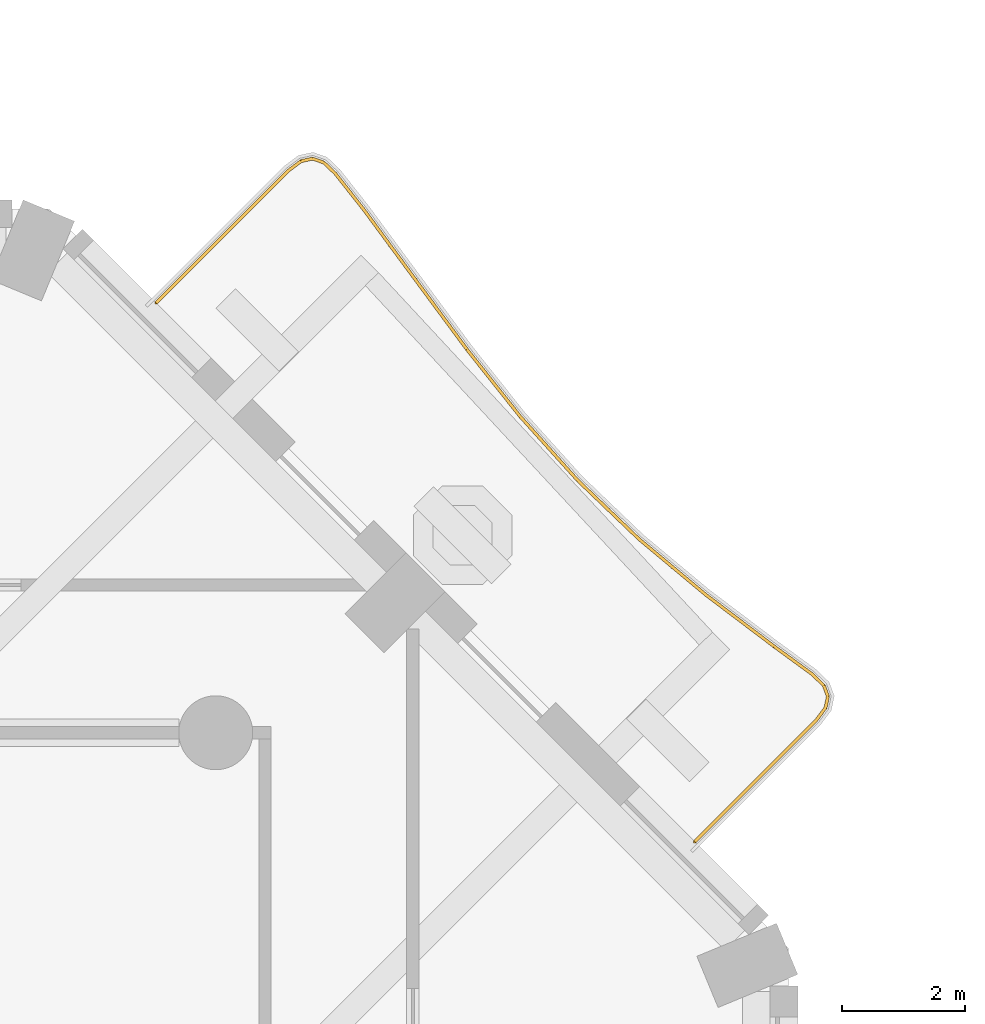
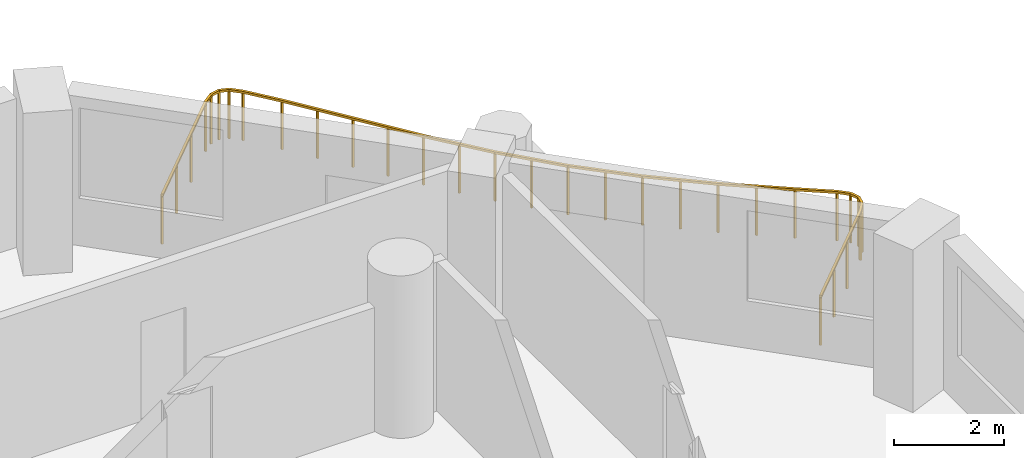
# One storey, part 23 of 24: 1 railing.
"""IFC4 building model written with IfcOpenShell, lengths in metres."""

from ifc_helpers import new_model, si_unit, direction, frame, origin, origin_2d, place, context, subcontext, project, spatial, rectangle, extrude, material, type_object, element, save


model = new_model("IFC4")

# Units and contexts
model_context = context("Model", 3, precision=1e-05, world=origin(), true_north=direction((0.0, 1.0)))
body_context = subcontext(model_context, "Body", "Model", "MODEL_VIEW")
ifc_project = project(units=[si_unit("LENGTHUNIT", "METRE"), si_unit("AREAUNIT", "SQUARE_METRE"), si_unit("VOLUMEUNIT", "CUBIC_METRE"), si_unit("PLANEANGLEUNIT", "RADIAN"), si_unit("MASSUNIT", "GRAM", prefix="KILO")], contexts=[model_context])

# Site, building, storey
site_placement = place(None, origin())
site = spatial("IfcSite", under=ifc_project, at=site_placement, CompositionType="ELEMENT")
building_placement = place(site_placement, origin())
building = spatial("IfcBuilding", under=site, at=building_placement, Name="Cypress Arch Tower", CompositionType="ELEMENT")
storey_placement = place(building_placement, frame((0.0, 0.0, 102.300048828125)))
storey = spatial("IfcBuildingStorey", under=building, at=storey_placement, Name="L20", CompositionType="ELEMENT", Elevation=102.300048828125)

# Railing
ifc_material = material(Name="Powder-coated steel posts and rods, 100 mm clear between rods", Category="steel")
railing_type = type_object("IfcRailingType", Name="Balcony guard GR1100", PredefinedType="GUARDRAIL", material=ifc_material)
railing_placement = place(storey_placement, frame((14.33251953125, 24.479736328125, 0.0)))
element("IfcRailing", 1, at=railing_placement, inside=storey, type_object=railing_type, Name="Balcony guard L20-A07", PredefinedType="GUARDRAIL", context=body_context, shape_type="SweptSolid", body=[
    extrude(rectangle(XDim=0.050048828125, YDim=0.050048828125, at=origin_2d()), frame((0.0, 0.0, 1.0751953125), z_axis=(0.707066550948, 0.707147009136, 0.0), x_axis=(-0.707147009136, 0.707066550948, 0.0)), (0.0, 0.0, 1.0), 3.034423828125),
    extrude(rectangle(XDim=0.050048828125, YDim=0.050048828125, at=origin_2d()), frame((2.1455078125, 2.145751953125, 1.0751953125), z_axis=(0.800905772358, 0.59879040056, 0.0), x_axis=(-0.59879040056, 0.800905772358, 0.0)), (0.0, 0.0, 1.0), 0.258544921875),
    extrude(rectangle(XDim=0.050048828125, YDim=0.050048828125, at=origin_2d()), frame((2.3525390625, 2.300537109375, 1.0751953125), z_axis=(0.976841821103, 0.213962745691, 0.0), x_axis=(-0.213962745691, 0.976841821103, 0.0)), (0.0, 0.0, 1.0), 0.191650390625),
    extrude(rectangle(XDim=0.050048828125, YDim=0.050048828125, at=origin_2d()), frame((2.539794921875, 2.341552734375, 1.0751953125), z_axis=(0.945061659714, -0.326892121866, 0.0), x_axis=(0.326892121866, 0.945061659714, 0.0)), (0.0, 0.0, 1.0), 0.19189453125),
    extrude(rectangle(XDim=0.050048828125, YDim=0.050048828125, at=origin_2d()), frame((2.72119140625, 2.27880859375, 1.0751953125), z_axis=(0.724834250675, -0.688923296926, 0.0), x_axis=(0.688923296926, 0.724834250675, 0.0)), (0.0, 0.0, 1.0), 0.25830078125),
    extrude(rectangle(XDim=0.050048828125, YDim=0.050048828125, at=origin_2d()), frame((2.908447265625, 2.100830078125, 1.0751953125), z_axis=(0.619177301871, -0.785251213846, 0.0), x_axis=(0.785251213846, 0.619177301871, 0.0)), (0.0, 0.0, 1.0), 0.762939453125),
    extrude(rectangle(XDim=0.050048828125, YDim=0.050048828125, at=origin_2d()), frame((3.380859375, 1.501708984375, 1.0751953125), z_axis=(0.59314552609, -0.805095264475, 0.0), x_axis=(0.805095264475, 0.59314552609, 0.0)), (0.0, 0.0, 1.0), 1.400634765625),
    extrude(rectangle(XDim=0.050048828125, YDim=0.050048828125, at=origin_2d()), frame((4.211669921875, 0.3740234375, 1.0751953125), z_axis=(0.594077695527, -0.804407665104, 0.0), x_axis=(0.804407665104, 0.594077695527, 0.0)), (0.0, 0.0, 1.0), 1.402099609375),
    extrude(rectangle(XDim=0.050048828125, YDim=0.050048828125, at=origin_2d()), frame((5.044677734375, -0.75390625, 1.0751953125), z_axis=(0.622049168557, -0.782978180984, 0.0), x_axis=(0.782978180984, 0.622049168557, 0.0)), (0.0, 0.0, 1.0), 1.397216796875),
    extrude(rectangle(XDim=0.050048828125, YDim=0.050048828125, at=origin_2d()), frame((5.913818359375, -1.847900390625, 1.0751953125), z_axis=(0.669100485491, -0.743171945323, 0.0), x_axis=(0.743171945323, 0.669100485491, 0.0)), (0.0, 0.0, 1.0), 1.390869140625),
    extrude(rectangle(XDim=0.050048828125, YDim=0.050048828125, at=origin_2d()), frame((6.844482421875, -2.881591796875, 1.0751953125), z_axis=(0.722229564323, -0.691653422184, 0.0), x_axis=(0.691653422184, 0.722229564323, 0.0)), (0.0, 0.0, 1.0), 1.389404296875),
    extrude(rectangle(XDim=0.050048828125, YDim=0.050048828125, at=origin_2d()), frame((7.847900390625, -3.842529296875, 1.0751953125), z_axis=(0.768206926138, -0.640201623424, 0.0), x_axis=(0.640201623424, 0.768206926138, 0.0)), (0.0, 0.0, 1.0), 1.394287109375),
    extrude(rectangle(XDim=0.050048828125, YDim=0.050048828125, at=origin_2d()), frame((8.9189453125, -4.735107421875, 1.0751953125), z_axis=(0.797798385383, -0.602924320524, 0.0), x_axis=(0.602924320524, 0.797798385383, 0.0)), (0.0, 0.0, 1.0), 1.400634765625),
    extrude(rectangle(XDim=0.050048828125, YDim=0.050048828125, at=origin_2d()), frame((10.036376953125, -5.57958984375, 1.0751953125), z_axis=(0.807414418501, -0.589984708952, 0.0), x_axis=(0.589984708952, 0.807414418501, 0.0)), (0.0, 0.0, 1.0), 0.76806640625),
    extrude(rectangle(XDim=0.050048828125, YDim=0.050048828125, at=origin_2d()), frame((10.656494140625, -6.03271484375, 1.0751953125), z_axis=(0.714628549608, -0.69950413586, 0.0), x_axis=(0.69950413586, 0.714628549608, 0.0)), (0.0, 0.0, 1.0), 0.25830078125),
    extrude(rectangle(XDim=0.050048828125, YDim=0.050048828125, at=origin_2d()), frame((10.841064453125, -6.21337890625, 1.0751953125), z_axis=(0.352971520146, -0.93563406627, 0.0), x_axis=(0.93563406627, 0.352971520146, 0.0)), (0.0, 0.0, 1.0), 0.188232421875),
    extrude(rectangle(XDim=0.050048828125, YDim=0.050048828125, at=origin_2d()), frame((10.907470703125, -6.389404296875, 1.0751953125), z_axis=(-0.205094513628, -0.978742172628, 0.0), x_axis=(0.978742172628, -0.205094513628, 0.0)), (0.0, 0.0, 1.0), 0.18798828125),
    extrude(rectangle(XDim=0.050048828125, YDim=0.050048828125, at=origin_2d()), frame((10.868896484375, -6.573486328125, 1.0751953125), z_axis=(-0.598637301733, -0.801020212588, 0.0), x_axis=(0.801020212588, -0.598637301733, 0.0)), (0.0, 0.0, 1.0), 0.258056640625),
    extrude(rectangle(XDim=0.050048828125, YDim=0.050048828125, at=origin_2d()), frame((10.71435546875, -6.7802734375, 1.0751953125), z_axis=(-0.707106781187, -0.707106781187, 0.0), x_axis=(0.707106781187, -0.707106781187, 0.0)), (0.0, 0.0, 1.0), 2.78173828125),
    extrude(rectangle(XDim=0.0400390625, YDim=0.0400390625, at=origin_2d()), origin(), (0.0, 0.0, 1.0), 1.050048828125),
    extrude(rectangle(XDim=0.0400390625, YDim=0.0400390625, at=origin_2d()), frame((0.715087890625, 0.71533203125, 0.0)), (0.0, 0.0, 1.0), 1.050048828125),
    extrude(rectangle(XDim=0.0400390625, YDim=0.0400390625, at=origin_2d()), frame((1.430419921875, 1.430419921875, 0.0)), (0.0, 0.0, 1.0), 1.050048828125),
    extrude(rectangle(XDim=0.0400390625, YDim=0.0400390625, at=origin_2d()), frame((2.1455078125, 2.145751953125, 0.0)), (0.0, 0.0, 1.0), 1.050048828125),
    extrude(rectangle(XDim=0.0400390625, YDim=0.0400390625, at=origin_2d()), frame((2.3525390625, 2.300537109375, 0.0)), (0.0, 0.0, 1.0), 1.050048828125),
    extrude(rectangle(XDim=0.0400390625, YDim=0.0400390625, at=origin_2d()), frame((2.539794921875, 2.341552734375, 0.0)), (0.0, 0.0, 1.0), 1.050048828125),
    extrude(rectangle(XDim=0.0400390625, YDim=0.0400390625, at=origin_2d()), frame((2.72119140625, 2.27880859375, 0.0)), (0.0, 0.0, 1.0), 1.050048828125),
    extrude(rectangle(XDim=0.0400390625, YDim=0.0400390625, at=origin_2d()), frame((2.908447265625, 2.100830078125, 0.0)), (0.0, 0.0, 1.0), 1.050048828125),
    extrude(rectangle(XDim=0.0400390625, YDim=0.0400390625, at=origin_2d()), frame((3.380859375, 1.501708984375, 0.0)), (0.0, 0.0, 1.0), 1.050048828125),
    extrude(rectangle(XDim=0.0400390625, YDim=0.0400390625, at=origin_2d()), frame((3.79638671875, 0.93798828125, 0.0)), (0.0, 0.0, 1.0), 1.050048828125),
    extrude(rectangle(XDim=0.0400390625, YDim=0.0400390625, at=origin_2d()), frame((4.211669921875, 0.3740234375, 0.0)), (0.0, 0.0, 1.0), 1.050048828125),
    extrude(rectangle(XDim=0.0400390625, YDim=0.0400390625, at=origin_2d()), frame((4.628173828125, -0.18994140625, 0.0)), (0.0, 0.0, 1.0), 1.050048828125),
    extrude(rectangle(XDim=0.0400390625, YDim=0.0400390625, at=origin_2d()), frame((5.044677734375, -0.75390625, 0.0)), (0.0, 0.0, 1.0), 1.050048828125),
    extrude(rectangle(XDim=0.0400390625, YDim=0.0400390625, at=origin_2d()), frame((5.479248046875, -1.30078125, 0.0)), (0.0, 0.0, 1.0), 1.050048828125),
    extrude(rectangle(XDim=0.0400390625, YDim=0.0400390625, at=origin_2d()), frame((5.913818359375, -1.847900390625, 0.0)), (0.0, 0.0, 1.0), 1.050048828125),
    extrude(rectangle(XDim=0.0400390625, YDim=0.0400390625, at=origin_2d()), frame((6.379150390625, -2.36474609375, 0.0)), (0.0, 0.0, 1.0), 1.050048828125),
    extrude(rectangle(XDim=0.0400390625, YDim=0.0400390625, at=origin_2d()), frame((6.844482421875, -2.881591796875, 0.0)), (0.0, 0.0, 1.0), 1.050048828125),
    extrude(rectangle(XDim=0.0400390625, YDim=0.0400390625, at=origin_2d()), frame((7.34619140625, -3.362060546875, 0.0)), (0.0, 0.0, 1.0), 1.050048828125),
    extrude(rectangle(XDim=0.0400390625, YDim=0.0400390625, at=origin_2d()), frame((7.847900390625, -3.842529296875, 0.0)), (0.0, 0.0, 1.0), 1.050048828125),
    extrude(rectangle(XDim=0.0400390625, YDim=0.0400390625, at=origin_2d()), frame((8.38330078125, -4.288818359375, 0.0)), (0.0, 0.0, 1.0), 1.050048828125),
    extrude(rectangle(XDim=0.0400390625, YDim=0.0400390625, at=origin_2d()), frame((8.9189453125, -4.735107421875, 0.0)), (0.0, 0.0, 1.0), 1.050048828125),
    extrude(rectangle(XDim=0.0400390625, YDim=0.0400390625, at=origin_2d()), frame((9.4775390625, -5.1572265625, 0.0)), (0.0, 0.0, 1.0), 1.050048828125),
    extrude(rectangle(XDim=0.0400390625, YDim=0.0400390625, at=origin_2d()), frame((10.036376953125, -5.57958984375, 0.0)), (0.0, 0.0, 1.0), 1.050048828125),
    extrude(rectangle(XDim=0.0400390625, YDim=0.0400390625, at=origin_2d()), frame((10.656494140625, -6.03271484375, 0.0)), (0.0, 0.0, 1.0), 1.050048828125),
    extrude(rectangle(XDim=0.0400390625, YDim=0.0400390625, at=origin_2d()), frame((10.841064453125, -6.21337890625, 0.0)), (0.0, 0.0, 1.0), 1.050048828125),
    extrude(rectangle(XDim=0.0400390625, YDim=0.0400390625, at=origin_2d()), frame((10.907470703125, -6.389404296875, 0.0)), (0.0, 0.0, 1.0), 1.050048828125),
    extrude(rectangle(XDim=0.0400390625, YDim=0.0400390625, at=origin_2d()), frame((10.868896484375, -6.573486328125, 0.0)), (0.0, 0.0, 1.0), 1.050048828125),
    extrude(rectangle(XDim=0.0400390625, YDim=0.0400390625, at=origin_2d()), frame((10.71435546875, -6.7802734375, 0.0)), (0.0, 0.0, 1.0), 1.050048828125),
    extrude(rectangle(XDim=0.0400390625, YDim=0.0400390625, at=origin_2d()), frame((10.05859375, -7.43603515625, 0.0)), (0.0, 0.0, 1.0), 1.050048828125),
    extrude(rectangle(XDim=0.0400390625, YDim=0.0400390625, at=origin_2d()), frame((9.403076171875, -8.091552734375, 0.0)), (0.0, 0.0, 1.0), 1.050048828125),
    extrude(rectangle(XDim=0.0400390625, YDim=0.0400390625, at=origin_2d()), frame((8.747314453125, -8.747314453125, 0.0)), (0.0, 0.0, 1.0), 1.050048828125),
])

save(model, "model.ifc")
